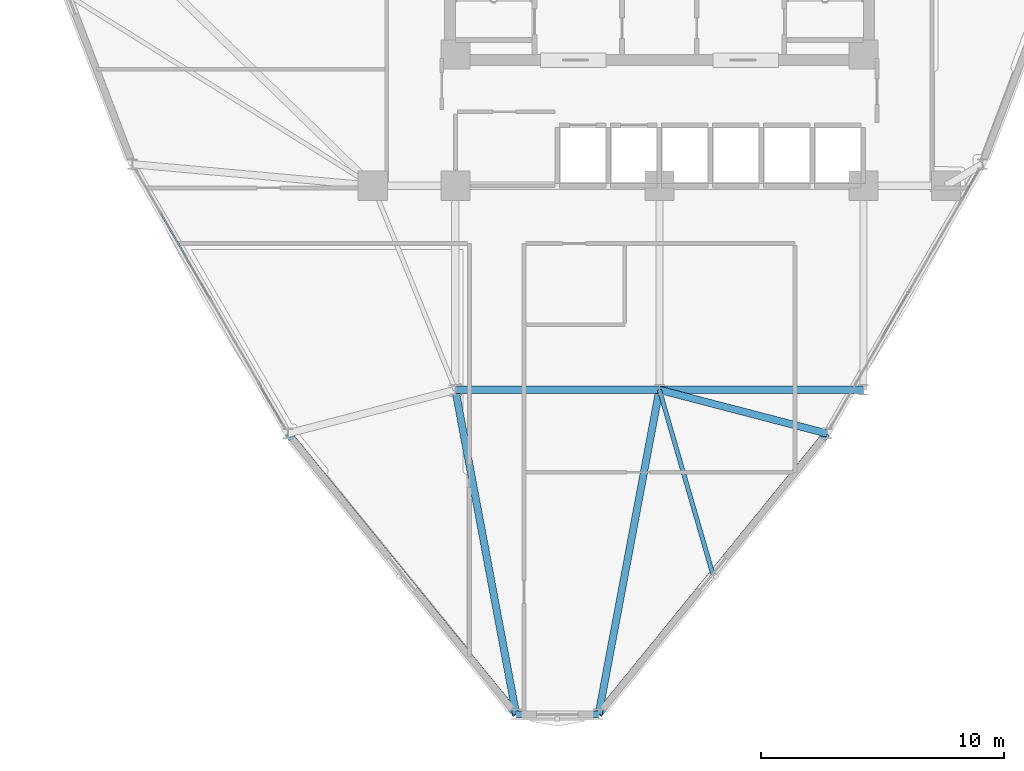
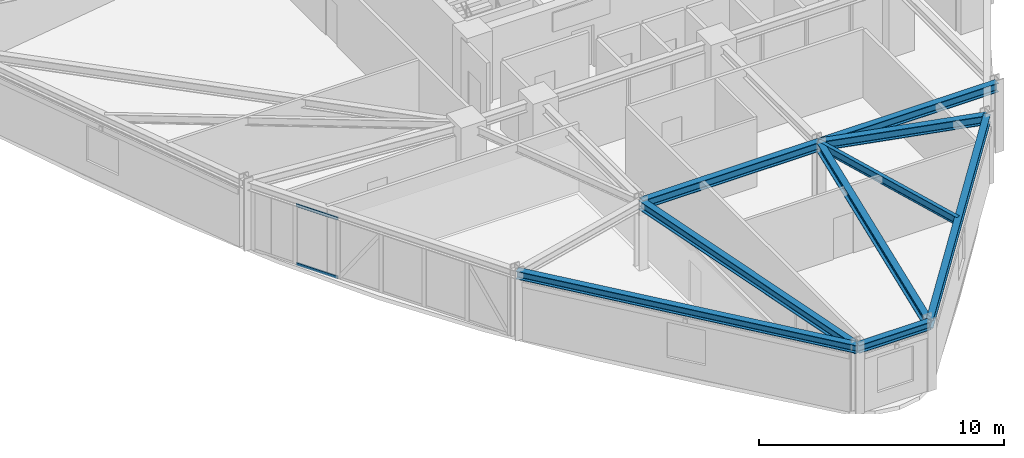
# One storey, part 3 of 15: 9 beams, 2 members, 1 element without a shape of its own.
"""IFC4 building model written with IfcOpenShell, lengths in metres."""

from ifc_helpers import new_model, si_unit, derived_unit, direction, frame, origin, origin_2d, place, context, subcontext, project, spatial, hollow_rectangle, i_section, extrude, source, transform, mapped, material, layer, layer_set, material_profile, profile_set, type_object, element, aggregate, save


model = new_model("IFC4")

# Units and contexts
model_context = context("Model", 3, precision=1e-05, world=origin(), true_north=direction((0.0, 1.0)))
body_context = subcontext(model_context, "Body", "Model", "MODEL_VIEW")
ifc_project = project(units=[si_unit("LENGTHUNIT", "METRE"), si_unit("AREAUNIT", "SQUARE_METRE"), si_unit("VOLUMEUNIT", "CUBIC_METRE"), si_unit("PLANEANGLEUNIT", "RADIAN"), si_unit("MASSUNIT", "GRAM", prefix="KILO"), derived_unit("THERMALTRANSMITTANCEUNIT", [(si_unit("POWERUNIT", "WATT"), 1), (si_unit("LENGTHUNIT", "METRE"), -2), (si_unit("THERMODYNAMICTEMPERATUREUNIT", "KELVIN"), -1)])], contexts=[model_context])

# Site, building, storey
site_placement = place(None, origin())
site = spatial("IfcSite", under=ifc_project, at=site_placement, CompositionType="ELEMENT")
building_placement = place(site_placement, origin())
building = spatial("IfcBuilding", under=site, at=building_placement, Name="Korsvarv Bourse and Concert Hall", CompositionType="ELEMENT")
storey_placement = place(building_placement, frame((0.0, 0.0, 161.39990234375)))
storey = spatial("IfcBuildingStorey", under=building, at=storey_placement, Name="L41", CompositionType="ELEMENT", Elevation=161.39990234375)

# Beams
ifc_material_1 = material(Name="Steel S355", Category="steel")
ifc_material_profile_1 = material_profile(ifc_material_1, i_section(OverallWidth=0.300048828125, OverallDepth=0.449951171875, WebThickness=0.013916015625, FlangeThickness=0.02587890625, FilletRadius=0.02099609375, at=origin_2d()), Name="HEB 450")
ifc_profile_set_1 = profile_set([ifc_material_profile_1], Name="Steel S355")
beam_type_1 = type_object("IfcBeamType", Name="BM-HEB450", PredefinedType="SPANDREL", material=ifc_profile_set_1)
shared_shape_1 = source(origin(), body_context, "Body", "SweptSolid", [
    extrude(i_section(OverallWidth=0.300048828125, OverallDepth=0.449951171875, WebThickness=0.013916015625, FlangeThickness=0.02587890625, FilletRadius=0.02099609375, at=origin_2d()), origin(), (0.0, 0.0, 1.0), 8.39990234375),
])
for number, where, z_axis, x_axis, name in (
    (1, (27.60009765625, 24.0, 3.175048828125), (1.0, 0.0, 0.0), (0.0, 1.0, 0.0), "L41 beam B-08"),
    (2, (36.0, 24.0, 3.175048828125), (1.0, 0.0, 0.0), (0.0, 1.0, 0.0), "L41 beam B-08"),
):
    element("IfcBeam", number, at=place(storey_placement, frame(where, z_axis=z_axis, x_axis=x_axis)), inside=storey, type_object=beam_type_1, Name=name, PredefinedType="SPANDREL", context=body_context, shape_type="MappedRepresentation", body=[
        mapped(shared_shape_1, transform((0.0, 0.0, 0.0), scale=1.0)),
    ])
ifc_material_profile_2 = material_profile(ifc_material_1, i_section(OverallWidth=0.300048828125, OverallDepth=0.39990234375, WebThickness=0.013427734375, FlangeThickness=0.02392578125, FilletRadius=0.02099609375, at=origin_2d()), Name="HEB 400")
ifc_profile_set_2 = profile_set([ifc_material_profile_2], Name="Steel S355")
beam_type_2 = type_object("IfcBeamType", Name="BM-HEB400", PredefinedType="SPANDREL", material=ifc_profile_set_2)
shared_shape_2 = source(origin(), body_context, "Body", "SweptSolid", [
    extrude(i_section(OverallWidth=0.300048828125, OverallDepth=0.39990234375, WebThickness=0.013427734375, FlangeThickness=0.02392578125, FilletRadius=0.02099609375, at=origin_2d()), origin(), (0.0, 0.0, 1.0), 3.391357421875),
])
beam_1_placement = place(storey_placement, frame((30.104248046875, 10.63525390625, 3.2001953125), z_axis=(1.0, 0.0, 0.0), x_axis=(0.0, 1.0, 0.0)))
element("IfcBeam", 3, at=beam_1_placement, inside=storey, type_object=beam_type_2, Name="L41 beam B-09", PredefinedType="SPANDREL", context=body_context, shape_type="MappedRepresentation", body=[
    mapped(shared_shape_2, transform((0.0, 0.0, 0.0), scale=1.0)),
])
shared_shape_3 = source(origin(), body_context, "Body", "SweptSolid", [
    extrude(i_section(OverallWidth=0.300048828125, OverallDepth=0.39990234375, WebThickness=0.013427734375, FlangeThickness=0.02392578125, FilletRadius=0.02099609375, at=origin_2d()), origin(), (0.0, 0.0, 1.0), 14.90478515625),
])
beam_2_placement = place(storey_placement, frame((33.49560546875, 10.63525390625, 3.2001953125), z_axis=(0.630647506251, 0.776069405955, 0.0), x_axis=(-0.776069405955, 0.630647506251, 0.0)))
element("IfcBeam", 4, at=beam_2_placement, inside=storey, type_object=beam_type_2, Name="L41 beam B-09", PredefinedType="SPANDREL", context=body_context, shape_type="MappedRepresentation", body=[
    mapped(shared_shape_3, transform((0.0, 0.0, 0.0), scale=1.0)),
])
shared_shape_4 = source(origin(), body_context, "Body", "SweptSolid", [
    extrude(i_section(OverallWidth=0.300048828125, OverallDepth=0.39990234375, WebThickness=0.013427734375, FlangeThickness=0.02392578125, FilletRadius=0.02099609375, at=origin_2d()), origin(), (0.0, 0.0, 1.0), 14.904541015625),
])
beam_3_placement = place(storey_placement, frame((20.704833984375, 22.202392578125, 3.2001953125), z_axis=(0.630637640673, -0.776077422791, 0.0), x_axis=(0.776077422791, 0.630637640673, 0.0)))
element("IfcBeam", 5, at=beam_3_placement, inside=storey, type_object=beam_type_2, Name="L41 beam B-09", PredefinedType="SPANDREL", context=body_context, shape_type="MappedRepresentation", body=[
    mapped(shared_shape_4, transform((0.0, 0.0, 0.0), scale=1.0)),
])
shared_shape_5 = source(origin(), body_context, "Body", "SweptSolid", [
    extrude(i_section(OverallWidth=0.300048828125, OverallDepth=0.449951171875, WebThickness=0.013916015625, FlangeThickness=0.02587890625, FilletRadius=0.02099609375, at=origin_2d()), origin(), (0.0, 0.0, 1.0), 7.125732421875),
])
beam_4_placement = place(storey_placement, frame((42.895263671875, 22.202392578125, 3.175048828125), z_axis=(-0.967656919283, 0.252269868522, 0.0), x_axis=(-0.252269868522, -0.967656919283, 0.0)))
element("IfcBeam", 6, at=beam_4_placement, inside=storey, type_object=beam_type_1, Name="L41 beam B-08", PredefinedType="SPANDREL", context=body_context, shape_type="MappedRepresentation", body=[
    mapped(shared_shape_5, transform((0.0, 0.0, 0.0), scale=1.0)),
])
shared_shape_6 = source(origin(), body_context, "Body", "SweptSolid", [
    extrude(i_section(OverallWidth=0.300048828125, OverallDepth=0.449951171875, WebThickness=0.013916015625, FlangeThickness=0.02587890625, FilletRadius=0.02099609375, at=origin_2d()), origin(), (0.0, 0.0, 1.0), 13.597412109375),
])
for number, where, z_axis, x_axis, name in (
    (7, (30.104248046875, 10.63525390625, 3.175048828125), (-0.184164948645, 0.982895351342, 0.0), (-0.982895351342, -0.184164948645, 0.0), "L41 beam B-08"),
    (8, (33.49560546875, 10.63525390625, 3.175048828125), (0.184182294632, 0.982892101069, 0.0), (-0.982892101069, 0.184182294632, 0.0), "L41 beam B-08"),
):
    element("IfcBeam", number, at=place(storey_placement, frame(where, z_axis=z_axis, x_axis=x_axis)), inside=storey, type_object=beam_type_1, Name=name, PredefinedType="SPANDREL", context=body_context, shape_type="MappedRepresentation", body=[
        mapped(shared_shape_6, transform((0.0, 0.0, 0.0), scale=1.0)),
    ])
ifc_material_profile_3 = material_profile(ifc_material_1, i_section(OverallWidth=0.179931640625, OverallDepth=0.39990234375, WebThickness=0.008544921875, FlangeThickness=0.013427734375, FilletRadius=0.02099609375, at=origin_2d()), Name="IPE 400")
ifc_profile_set_3 = profile_set([ifc_material_profile_3], Name="Steel S355")
beam_type_3 = type_object("IfcBeamType", Name="BM-IPE400", PredefinedType="JOIST", material=ifc_profile_set_3)
shared_shape_7 = source(origin(), body_context, "Body", "SweptSolid", [
    extrude(i_section(OverallWidth=0.179931640625, OverallDepth=0.39990234375, WebThickness=0.008544921875, FlangeThickness=0.013427734375, FilletRadius=0.02099609375, at=origin_2d()), origin(), (0.0, 0.0, 1.0), 7.892822265625),
])
beam_5_placement = place(storey_placement, frame((38.195556640625, 16.418701171875, 3.2001953125), z_axis=(-0.278171485352, 0.960531428292, 0.0), x_axis=(-0.960531428292, -0.278171485352, 0.0)))
element("IfcBeam", 9, at=beam_5_placement, inside=storey, type_object=beam_type_3, Name="L41 beam J-05", PredefinedType="JOIST", context=body_context, shape_type="MappedRepresentation", body=[
    mapped(shared_shape_7, transform((0.0, 0.0, 0.0), scale=1.0)),
])

# Curtain wall, members
ifc_material_2 = material(Name="Anodised aluminium and triple low-E glazing", Category="glass")
ifc_layer = layer(ifc_material_2, 0.2099609375)
ifc_layer_set = layer_set([ifc_layer], Name="Anodised aluminium and triple low-E glazing")
curtain_wall_type = type_object("IfcCurtainWallType", Name="CW-SYS-2", PredefinedType="NOTDEFINED", material=ifc_layer_set)
curtain_wall_placement = place(storey_placement, origin())
curtain_wall = element("IfcCurtainWall", 10, at=curtain_wall_placement, inside=storey, type_object=curtain_wall_type, Name="L41 CW2 curtain wall CW-L41-F07", PredefinedType="NOTDEFINED")
ifc_material_3 = material(Name="Extruded aluminium EN AW-6063 T66", Category="aluminium")
ifc_material_profile_4 = material_profile(ifc_material_3, hollow_rectangle(XDim=0.06494140625, YDim=0.139892578125, WallThickness=0.00390625, at=origin_2d()), Name="ALU-T 65x140")
ifc_profile_set_4 = profile_set([ifc_material_profile_4], Name="Extruded aluminium EN AW-6063 T66")
member_type = type_object("IfcMemberType", Name="CWT-140", PredefinedType="USERDEFINED", material=ifc_profile_set_4)
shared_shape_8 = source(origin(), body_context, "Body", "SweptSolid", [
    extrude(hollow_rectangle(XDim=0.06494140625, YDim=0.139892578125, WallThickness=0.00390625, at=origin_2d()), origin(), (0.0, 0.0, 1.0), 1.960693359375),
])
member_1_placement = place(storey_placement, frame((15.49072265625, 31.2333984375, 0.03271484375), z_axis=(0.500049388818, -0.865996887259, 0.0), x_axis=(0.865996887259, 0.500049388818, 0.0)))
member_1 = element("IfcMember", 11, at=member_1_placement, type_object=member_type, Name="CW2 transom 2.1", ObjectType="TRANSOM", PredefinedType="USERDEFINED", context=body_context, shape_type="MappedRepresentation", body=[
    mapped(shared_shape_8, transform((0.0, 0.0, 0.0), scale=1.0)),
])
member_2_placement = place(storey_placement, frame((15.49072265625, 31.2333984375, 2.967529296875), z_axis=(0.500049388818, -0.865996887259, 0.0), x_axis=(0.865996887259, 0.500049388818, 0.0)))
member_2 = element("IfcMember", 12, at=member_2_placement, type_object=member_type, Name="CW2 transom 2.2", ObjectType="TRANSOM", PredefinedType="USERDEFINED", context=body_context, shape_type="MappedRepresentation", body=[
    mapped(shared_shape_8, transform((0.0, 0.0, 0.0), scale=1.0)),
])
aggregate(curtain_wall, [member_1, member_2])

save(model, "model.ifc")
